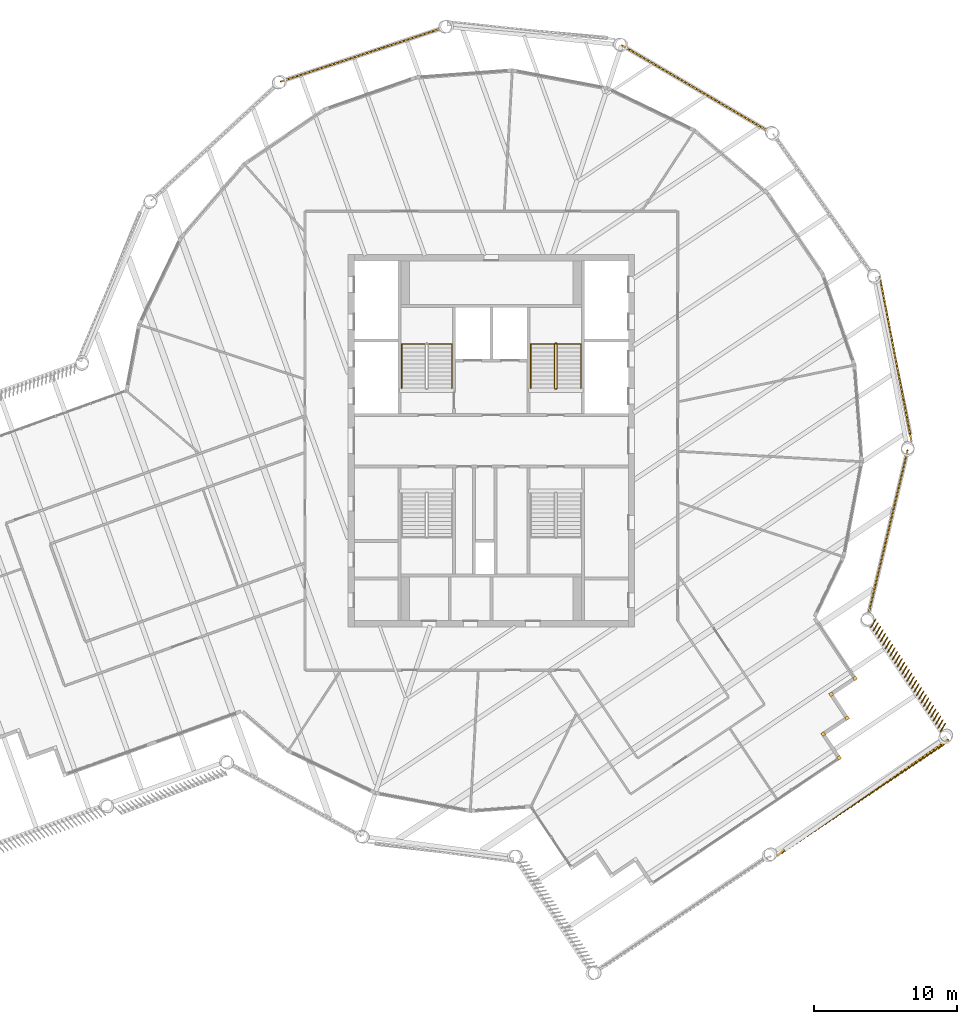
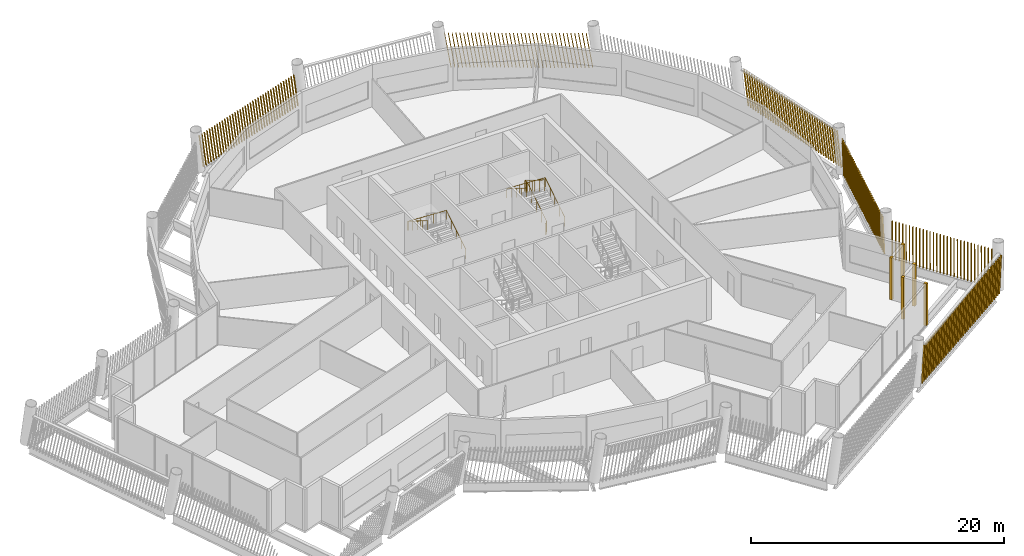
# One storey, part 26 of 28: 11 shading devices, 3 railings.
"""IFC4 building model written with IfcOpenShell, lengths in metres."""

from ifc_helpers import new_model, si_unit, direction, frame, frame_2d, origin, origin_2d, place, context, subcontext, project, spatial, rectangle, circle, composite_profile, extrude, material, type_object, element, save


model = new_model("IFC4")

# Units and contexts
model_context = context("Model", 3, precision=1e-05, world=origin(), true_north=direction((0.0, 1.0)))
body_context = subcontext(model_context, "Body", "Model", "MODEL_VIEW")
ifc_project = project(units=[si_unit("LENGTHUNIT", "METRE"), si_unit("AREAUNIT", "SQUARE_METRE"), si_unit("VOLUMEUNIT", "CUBIC_METRE"), si_unit("PLANEANGLEUNIT", "RADIAN"), si_unit("MASSUNIT", "GRAM", prefix="KILO")], contexts=[model_context])

# Site, building, storey
site_placement = place(None, origin())
site = spatial("IfcSite", under=ifc_project, at=site_placement, CompositionType="ELEMENT")
building_placement = place(site_placement, origin())
building = spatial("IfcBuilding", under=site, at=building_placement, Name="Tarsis Ring Headquarters", CompositionType="ELEMENT")
storey_placement = place(building_placement, frame((0.0, 0.0, 365.0)))
storey = spatial("IfcBuildingStorey", under=building, at=storey_placement, Name="L86", CompositionType="ELEMENT", Elevation=365.0)

# Railings
ifc_material_1 = material(Name="Steel S355", Category="steel")
railing_type_1 = type_object("IfcRailingType", Name="Core stair guard 1100", PredefinedType="GUARDRAIL", material=ifc_material_1)
railing_1_placement = place(storey_placement, frame((4.4599609375, 3.610107421875, 0.0)))
element("IfcRailing", 1, at=railing_1_placement, inside=storey, type_object=railing_type_1, Name="L86 ST2 stair guard 1", PredefinedType="GUARDRAIL", context=body_context, shape_type="SweptSolid", body=[
    extrude(circle(Radius=0.02392578125, at=origin_2d()), frame((0.0, 0.0, 1.076171875), z_axis=(1.0, 0.0, 0.0), x_axis=(0.0, 1.0, 0.0)), (0.0, 0.0, 1.0), 0.080078125),
    extrude(circle(Radius=0.02392578125, at=origin_2d()), frame((0.080078125, 0.0, 1.076171875), z_axis=(0.265155923931, 0.263862480399, 0.927399011991), x_axis=(-0.705375805398, 0.708833529934, 0.0)), (0.0, 0.0, 1.0), 0.188720703125),
    extrude(circle(Radius=0.02392578125, at=origin_2d()), frame((0.130126953125, 0.0498046875, 1.2509765625), z_axis=(0.0, 0.847998304005, 0.529998940003), x_axis=(-1.0, 0.0, 0.0)), (0.0, 0.0, 1.0), 3.632080078125),
    extrude(circle(Radius=0.02392578125, at=origin_2d()), frame((0.130126953125, 3.1298828125, 3.17626953125), z_axis=(-0.707106781187, 0.707106781187, 0.0), x_axis=(-0.707106781187, -0.707106781187, 0.0)), (0.0, 0.0, 1.0), 0.07080078125),
    extrude(circle(Radius=0.02392578125, at=origin_2d()), frame((0.080078125, 3.179931640625, 3.17626953125), z_axis=(-1.0, 0.0, 0.0), x_axis=(0.0, -1.0, 0.0)), (0.0, 0.0, 1.0), 0.080078125),
    extrude(circle(Radius=0.02392578125, at=origin_2d()), frame((0.0, 3.179931640625, 3.17626953125), z_axis=(-0.265383341853, -0.265383341853, 0.926899867156), x_axis=(0.707106781187, -0.707106781187, 0.0)), (0.0, 0.0, 1.0), 0.1884765625),
    extrude(circle(Radius=0.02392578125, at=origin_2d()), frame((-0.050048828125, 3.1298828125, 3.35107421875), z_axis=(0.0, -0.847998304005, 0.529998940003), x_axis=(1.0, 0.0, 0.0)), (0.0, 0.0, 1.0), 3.632080078125),
    extrude(circle(Radius=0.02099609375, at=origin_2d()), origin(), (0.0, 0.0, 1.0), 1.052001953125),
    extrude(circle(Radius=0.02099609375, at=origin_2d()), frame((0.080078125, 0.0, 0.0)), (0.0, 0.0, 1.0), 1.052001953125),
    extrude(circle(Radius=0.02099609375, at=origin_2d()), frame((0.130126953125, 0.0498046875, 0.175048828125)), (0.0, 0.0, 1.0), 1.052001953125),
    extrude(circle(Radius=0.02099609375, at=origin_2d()), frame((0.130126953125, 0.81982421875, 0.65625)), (0.0, 0.0, 1.0), 1.052001953125),
    extrude(circle(Radius=0.02099609375, at=origin_2d()), frame((0.130126953125, 1.58984375, 1.1376953125)), (0.0, 0.0, 1.0), 1.052001953125),
    extrude(circle(Radius=0.02099609375, at=origin_2d()), frame((0.130126953125, 2.35986328125, 1.618896484375)), (0.0, 0.0, 1.0), 1.052001953125),
    extrude(circle(Radius=0.02099609375, at=origin_2d()), frame((0.130126953125, 3.1298828125, 2.10009765625)), (0.0, 0.0, 1.0), 1.052001953125),
    extrude(circle(Radius=0.02099609375, at=origin_2d()), frame((0.080078125, 3.179931640625, 2.10009765625)), (0.0, 0.0, 1.0), 1.052001953125),
    extrude(circle(Radius=0.02099609375, at=origin_2d()), frame((0.0, 3.179931640625, 2.10009765625)), (0.0, 0.0, 1.0), 1.052001953125),
    extrude(circle(Radius=0.02099609375, at=origin_2d()), frame((-0.050048828125, 3.1298828125, 2.27490234375)), (0.0, 0.0, 1.0), 1.052001953125),
    extrude(circle(Radius=0.02099609375, at=origin_2d()), frame((-0.050048828125, 2.35986328125, 2.756103515625)), (0.0, 0.0, 1.0), 1.052001953125),
    extrude(circle(Radius=0.02099609375, at=origin_2d()), frame((-0.050048828125, 1.58984375, 3.2373046875)), (0.0, 0.0, 1.0), 1.052001953125),
    extrude(circle(Radius=0.02099609375, at=origin_2d()), frame((-0.050048828125, 0.81982421875, 3.71875)), (0.0, 0.0, 1.0), 1.052001953125),
    extrude(circle(Radius=0.02099609375, at=origin_2d()), frame((-0.050048828125, 0.0498046875, 4.199951171875)), (0.0, 0.0, 1.0), 1.052001953125),
])
railing_type_2 = type_object("IfcRailingType", Name="Core stair handrail 900", PredefinedType="HANDRAIL", material=ifc_material_1)
railing_2_placement = place(storey_placement, frame((-2.75, 3.659912109375, 0.175048828125)))
element("IfcRailing", 2, at=railing_2_placement, inside=storey, type_object=railing_type_2, Name="L86 ST1 stair handrail 1", PredefinedType="HANDRAIL", context=body_context, shape_type="SweptSolid", body=[
    extrude(circle(Radius=0.02392578125, at=origin_2d()), frame((0.0, 0.0, 0.8759765625), z_axis=(0.0, 0.847998304005, 0.529998940003), x_axis=(-1.0, 0.0, 0.0)), (0.0, 0.0, 1.0), 3.632080078125),
    extrude(circle(Radius=0.02392578125, at=origin_2d()), frame((0.0, 3.080078125, 2.80078125), z_axis=(-0.998755117086, 0.0, 0.049882021752), x_axis=(0.0, -1.0, 0.0)), (0.0, 0.0, 1.0), 3.50439453125),
    extrude(circle(Radius=0.02392578125, at=origin_2d()), frame((-3.5, 3.080078125, 2.9755859375), z_axis=(0.0, -0.847998304005, 0.529998940003), x_axis=(1.0, 0.0, 0.0)), (0.0, 0.0, 1.0), 3.632080078125),
    extrude(circle(Radius=0.02099609375, at=origin_2d()), origin(), (0.0, 0.0, 1.0), 0.851806640625),
    extrude(circle(Radius=0.02099609375, at=origin_2d()), frame((0.0, 0.77001953125, 0.481201171875)), (0.0, 0.0, 1.0), 0.851806640625),
    extrude(circle(Radius=0.02099609375, at=origin_2d()), frame((0.0, 1.5400390625, 0.96240234375)), (0.0, 0.0, 1.0), 0.851806640625),
    extrude(circle(Radius=0.02099609375, at=origin_2d()), frame((0.0, 2.31005859375, 1.44384765625)), (0.0, 0.0, 1.0), 0.851806640625),
    extrude(circle(Radius=0.02099609375, at=origin_2d()), frame((0.0, 3.080078125, 1.925048828125)), (0.0, 0.0, 1.0), 0.851806640625),
    extrude(circle(Radius=0.02099609375, at=origin_2d()), frame((-1.166748046875, 3.080078125, 1.9833984375)), (0.0, 0.0, 1.0), 0.851806640625),
    extrude(circle(Radius=0.02099609375, at=origin_2d()), frame((-2.333251953125, 3.080078125, 2.04150390625)), (0.0, 0.0, 1.0), 0.851806640625),
    extrude(circle(Radius=0.02099609375, at=origin_2d()), frame((-3.5, 3.080078125, 2.099853515625)), (0.0, 0.0, 1.0), 0.851806640625),
    extrude(circle(Radius=0.02099609375, at=origin_2d()), frame((-3.5, 2.31005859375, 2.5810546875)), (0.0, 0.0, 1.0), 0.851806640625),
    extrude(circle(Radius=0.02099609375, at=origin_2d()), frame((-3.5, 1.5400390625, 3.0625)), (0.0, 0.0, 1.0), 0.851806640625),
    extrude(circle(Radius=0.02099609375, at=origin_2d()), frame((-3.5, 0.77001953125, 3.543701171875)), (0.0, 0.0, 1.0), 0.851806640625),
    extrude(circle(Radius=0.02099609375, at=origin_2d()), frame((-3.5, 0.0, 4.02490234375)), (0.0, 0.0, 1.0), 0.851806640625),
])
railing_3_placement = place(storey_placement, frame((6.25, 3.659912109375, 0.175048828125)))
element("IfcRailing", 3, at=railing_3_placement, inside=storey, type_object=railing_type_2, Name="L86 ST2 stair handrail 1", PredefinedType="HANDRAIL", context=body_context, shape_type="SweptSolid", body=[
    extrude(circle(Radius=0.02392578125, at=origin_2d()), frame((0.0, 0.0, 0.8759765625), z_axis=(0.0, 0.847998304005, 0.529998940003), x_axis=(-1.0, 0.0, 0.0)), (0.0, 0.0, 1.0), 3.632080078125),
    extrude(circle(Radius=0.02392578125, at=origin_2d()), frame((0.0, 3.080078125, 2.80078125), z_axis=(-0.998755117086, 0.0, 0.049882021752), x_axis=(0.0, -1.0, 0.0)), (0.0, 0.0, 1.0), 3.50439453125),
    extrude(circle(Radius=0.02392578125, at=origin_2d()), frame((-3.5, 3.080078125, 2.9755859375), z_axis=(0.0, -0.847998304005, 0.529998940003), x_axis=(1.0, 0.0, 0.0)), (0.0, 0.0, 1.0), 3.632080078125),
    extrude(circle(Radius=0.02099609375, at=origin_2d()), origin(), (0.0, 0.0, 1.0), 0.851806640625),
    extrude(circle(Radius=0.02099609375, at=origin_2d()), frame((0.0, 0.77001953125, 0.481201171875)), (0.0, 0.0, 1.0), 0.851806640625),
    extrude(circle(Radius=0.02099609375, at=origin_2d()), frame((0.0, 1.5400390625, 0.96240234375)), (0.0, 0.0, 1.0), 0.851806640625),
    extrude(circle(Radius=0.02099609375, at=origin_2d()), frame((0.0, 2.31005859375, 1.44384765625)), (0.0, 0.0, 1.0), 0.851806640625),
    extrude(circle(Radius=0.02099609375, at=origin_2d()), frame((0.0, 3.080078125, 1.925048828125)), (0.0, 0.0, 1.0), 0.851806640625),
    extrude(circle(Radius=0.02099609375, at=origin_2d()), frame((-1.166748046875, 3.080078125, 1.9833984375)), (0.0, 0.0, 1.0), 0.851806640625),
    extrude(circle(Radius=0.02099609375, at=origin_2d()), frame((-2.333251953125, 3.080078125, 2.04150390625)), (0.0, 0.0, 1.0), 0.851806640625),
    extrude(circle(Radius=0.02099609375, at=origin_2d()), frame((-3.5, 3.080078125, 2.099853515625)), (0.0, 0.0, 1.0), 0.851806640625),
    extrude(circle(Radius=0.02099609375, at=origin_2d()), frame((-3.5, 2.31005859375, 2.5810546875)), (0.0, 0.0, 1.0), 0.851806640625),
    extrude(circle(Radius=0.02099609375, at=origin_2d()), frame((-3.5, 1.5400390625, 3.0625)), (0.0, 0.0, 1.0), 0.851806640625),
    extrude(circle(Radius=0.02099609375, at=origin_2d()), frame((-3.5, 0.77001953125, 3.543701171875)), (0.0, 0.0, 1.0), 0.851806640625),
    extrude(circle(Radius=0.02099609375, at=origin_2d()), frame((-3.5, 0.0, 4.02490234375)), (0.0, 0.0, 1.0), 0.851806640625),
])

# Shading devices
ifc_material_2 = material(Name="Terracotta baguette", Category="masonry")
shading_device_type_1 = type_object("IfcShadingDeviceType", Name="Terracotta baguette screen", PredefinedType="USERDEFINED", material=ifc_material_2)
shading_device_1_placement = place(storey_placement, frame((19.962890625, -28.965576171875, 0.0), z_axis=(0.0, 0.0, 1.0), x_axis=(0.831384343211, 0.555701017249, 0.0)))
element("IfcShadingDevice", 4, at=shading_device_1_placement, inside=storey, type_object=shading_device_type_1, Name="Baguette screen L86-03", ObjectType="Terracotta baguette screen", PredefinedType="USERDEFINED", context=body_context, shape_type="SweptSolid", body=[
    extrude(composite_profile([rectangle(XDim=0.06005859375, YDim=0.1201171875, at=frame_2d((0.030029296875, 0.0))), rectangle(XDim=0.06005859375, YDim=0.1201171875, at=frame_2d((0.33544921875, 0.0))), rectangle(XDim=0.06005859375, YDim=0.1201171875, at=frame_2d((0.640625, 0.0))), rectangle(XDim=0.06005859375, YDim=0.1201171875, at=frame_2d((0.946044921875, 0.0))), rectangle(XDim=0.06005859375, YDim=0.1201171875, at=frame_2d((1.25146484375, 0.0))), rectangle(XDim=0.06005859375, YDim=0.1201171875, at=frame_2d((1.556640625, 0.0))), rectangle(XDim=0.06005859375, YDim=0.1201171875, at=frame_2d((1.862060546875, 0.0))), rectangle(XDim=0.06005859375, YDim=0.1201171875, at=frame_2d((2.16748046875, 0.0))), rectangle(XDim=0.06005859375, YDim=0.1201171875, at=frame_2d((2.47265625, 0.0))), rectangle(XDim=0.06005859375, YDim=0.1201171875, at=frame_2d((2.778076171875, 0.0))), rectangle(XDim=0.06005859375, YDim=0.1201171875, at=frame_2d((3.08349609375, 0.0))), rectangle(XDim=0.06005859375, YDim=0.1201171875, at=frame_2d((3.388671875, 0.0))), rectangle(XDim=0.06005859375, YDim=0.1201171875, at=frame_2d((3.694091796875, 0.0))), rectangle(XDim=0.06005859375, YDim=0.1201171875, at=frame_2d((3.99951171875, 0.0))), rectangle(XDim=0.06005859375, YDim=0.1201171875, at=frame_2d((4.3046875, 0.0))), rectangle(XDim=0.06005859375, YDim=0.1201171875, at=frame_2d((4.610107421875, 0.0))), rectangle(XDim=0.06005859375, YDim=0.1201171875, at=frame_2d((4.91552734375, 0.0))), rectangle(XDim=0.06005859375, YDim=0.1201171875, at=frame_2d((5.220703125, 0.0))), rectangle(XDim=0.06005859375, YDim=0.1201171875, at=frame_2d((5.526123046875, 0.0))), rectangle(XDim=0.06005859375, YDim=0.1201171875, at=frame_2d((5.83154296875, 0.0))), rectangle(XDim=0.06005859375, YDim=0.1201171875, at=frame_2d((6.13671875, 0.0))), rectangle(XDim=0.06005859375, YDim=0.1201171875, at=frame_2d((6.442138671875, 0.0))), rectangle(XDim=0.06005859375, YDim=0.1201171875, at=frame_2d((6.74755859375, 0.0))), rectangle(XDim=0.06005859375, YDim=0.1201171875, at=frame_2d((7.052734375, 0.0))), rectangle(XDim=0.06005859375, YDim=0.1201171875, at=frame_2d((7.358154296875, 0.0))), rectangle(XDim=0.06005859375, YDim=0.1201171875, at=frame_2d((7.66357421875, 0.0))), rectangle(XDim=0.06005859375, YDim=0.1201171875, at=frame_2d((7.96875, 0.0))), rectangle(XDim=0.06005859375, YDim=0.1201171875, at=frame_2d((8.274169921875, 0.0))), rectangle(XDim=0.06005859375, YDim=0.1201171875, at=frame_2d((8.57958984375, 0.0))), rectangle(XDim=0.06005859375, YDim=0.1201171875, at=frame_2d((8.884765625, 0.0))), rectangle(XDim=0.06005859375, YDim=0.1201171875, at=frame_2d((9.190185546875, 0.0))), rectangle(XDim=0.06005859375, YDim=0.1201171875, at=frame_2d((9.49560546875, 0.0))), rectangle(XDim=0.06005859375, YDim=0.1201171875, at=frame_2d((9.80078125, 0.0))), rectangle(XDim=0.06005859375, YDim=0.1201171875, at=frame_2d((10.106201171875, 0.0))), rectangle(XDim=0.06005859375, YDim=0.1201171875, at=frame_2d((10.41162109375, 0.0))), rectangle(XDim=0.06005859375, YDim=0.1201171875, at=frame_2d((10.716796875, 0.0))), rectangle(XDim=0.06005859375, YDim=0.1201171875, at=frame_2d((11.022216796875, 0.0))), rectangle(XDim=0.06005859375, YDim=0.1201171875, at=frame_2d((11.32763671875, 0.0))), rectangle(XDim=0.06005859375, YDim=0.1201171875, at=frame_2d((11.6328125, 0.0))), rectangle(XDim=0.06005859375, YDim=0.1201171875, at=frame_2d((11.938232421875, 0.0))), rectangle(XDim=0.06005859375, YDim=0.1201171875, at=frame_2d((12.24365234375, 0.0))), rectangle(XDim=0.06005859375, YDim=0.1201171875, at=frame_2d((12.548828125, 0.0))), rectangle(XDim=0.06005859375, YDim=0.1201171875, at=frame_2d((12.854248046875, 0.0))), rectangle(XDim=0.06005859375, YDim=0.1201171875, at=frame_2d((13.15966796875, 0.0))), rectangle(XDim=0.06005859375, YDim=0.1201171875, at=frame_2d((13.46484375, 0.0))), rectangle(XDim=0.06005859375, YDim=0.1201171875, at=frame_2d((13.770263671875, 0.0)))]), origin(), (0.190512633227, 0.041892237352, 0.980790485797), 3.3447265625),
])
shading_device_2_placement = place(storey_placement, frame((31.365234375, -20.29150390625, 0.0), z_axis=(0.0, 0.0, 1.0), x_axis=(-0.555694201813, 0.831378421096, 0.0)))
element("IfcShadingDevice", 5, at=shading_device_2_placement, inside=storey, type_object=shading_device_type_1, Name="Baguette screen L86-04", ObjectType="Terracotta baguette screen", PredefinedType="USERDEFINED", context=body_context, shape_type="SweptSolid", body=[
    extrude(composite_profile([rectangle(XDim=0.06005859375, YDim=0.1201171875, at=frame_2d((0.030029296875, 0.0))), rectangle(XDim=0.06005859375, YDim=0.1201171875, at=frame_2d((0.33154296875, 0.0))), rectangle(XDim=0.06005859375, YDim=0.1201171875, at=frame_2d((0.633056640625, 0.0))), rectangle(XDim=0.06005859375, YDim=0.1201171875, at=frame_2d((0.9345703125, 0.0))), rectangle(XDim=0.06005859375, YDim=0.1201171875, at=frame_2d((1.236083984375, 0.0))), rectangle(XDim=0.06005859375, YDim=0.1201171875, at=frame_2d((1.53759765625, 0.0))), rectangle(XDim=0.06005859375, YDim=0.1201171875, at=frame_2d((1.839111328125, 0.0))), rectangle(XDim=0.06005859375, YDim=0.1201171875, at=frame_2d((2.140625, 0.0))), rectangle(XDim=0.06005859375, YDim=0.1201171875, at=frame_2d((2.442138671875, 0.0))), rectangle(XDim=0.06005859375, YDim=0.1201171875, at=frame_2d((2.74365234375, 0.0))), rectangle(XDim=0.06005859375, YDim=0.1201171875, at=frame_2d((3.045166015625, 0.0))), rectangle(XDim=0.06005859375, YDim=0.1201171875, at=frame_2d((3.3466796875, 0.0))), rectangle(XDim=0.06005859375, YDim=0.1201171875, at=frame_2d((3.648193359375, 0.0))), rectangle(XDim=0.06005859375, YDim=0.1201171875, at=frame_2d((3.94970703125, 0.0))), rectangle(XDim=0.06005859375, YDim=0.1201171875, at=frame_2d((4.251220703125, 0.0))), rectangle(XDim=0.06005859375, YDim=0.1201171875, at=frame_2d((4.552978515625, 0.0))), rectangle(XDim=0.06005859375, YDim=0.1201171875, at=frame_2d((4.8544921875, 0.0))), rectangle(XDim=0.06005859375, YDim=0.1201171875, at=frame_2d((5.156005859375, 0.0))), rectangle(XDim=0.06005859375, YDim=0.1201171875, at=frame_2d((5.45751953125, 0.0))), rectangle(XDim=0.06005859375, YDim=0.1201171875, at=frame_2d((5.759033203125, 0.0))), rectangle(XDim=0.06005859375, YDim=0.1201171875, at=frame_2d((6.060546875, 0.0))), rectangle(XDim=0.06005859375, YDim=0.1201171875, at=frame_2d((6.362060546875, 0.0))), rectangle(XDim=0.06005859375, YDim=0.1201171875, at=frame_2d((6.66357421875, 0.0))), rectangle(XDim=0.06005859375, YDim=0.1201171875, at=frame_2d((6.965087890625, 0.0))), rectangle(XDim=0.06005859375, YDim=0.1201171875, at=frame_2d((7.2666015625, 0.0))), rectangle(XDim=0.06005859375, YDim=0.1201171875, at=frame_2d((7.568115234375, 0.0))), rectangle(XDim=0.06005859375, YDim=0.1201171875, at=frame_2d((7.86962890625, 0.0))), rectangle(XDim=0.06005859375, YDim=0.1201171875, at=frame_2d((8.171142578125, 0.0))), rectangle(XDim=0.06005859375, YDim=0.1201171875, at=frame_2d((8.47265625, 0.0))), rectangle(XDim=0.06005859375, YDim=0.1201171875, at=frame_2d((8.774169921875, 0.0)))]), origin(), (0.082004130582, -0.161936594151, 0.983387950934), 3.3359375),
])
shading_device_3_placement = place(storey_placement, frame((26.31103515625, -12.069580078125, 0.0), z_axis=(0.0, 0.0, 1.0), x_axis=(0.232403689636, 0.972609875203, 0.0)))
element("IfcShadingDevice", 6, at=shading_device_3_placement, inside=storey, type_object=shading_device_type_1, Name="Baguette screen L86-05", ObjectType="Terracotta baguette screen", PredefinedType="USERDEFINED", context=body_context, shape_type="SweptSolid", body=[
    extrude(composite_profile([rectangle(XDim=0.06005859375, YDim=0.1201171875, at=frame_2d((0.030029296875, 0.0))), rectangle(XDim=0.06005859375, YDim=0.1201171875, at=frame_2d((0.33251953125, 0.0))), rectangle(XDim=0.06005859375, YDim=0.1201171875, at=frame_2d((0.634765625, 0.0))), rectangle(XDim=0.06005859375, YDim=0.1201171875, at=frame_2d((0.937255859375, 0.0))), rectangle(XDim=0.06005859375, YDim=0.1201171875, at=frame_2d((1.239501953125, 0.0))), rectangle(XDim=0.06005859375, YDim=0.1201171875, at=frame_2d((1.5419921875, 0.0))), rectangle(XDim=0.06005859375, YDim=0.1201171875, at=frame_2d((1.844482421875, 0.0))), rectangle(XDim=0.06005859375, YDim=0.1201171875, at=frame_2d((2.146728515625, 0.0))), rectangle(XDim=0.06005859375, YDim=0.1201171875, at=frame_2d((2.44921875, 0.0))), rectangle(XDim=0.06005859375, YDim=0.1201171875, at=frame_2d((2.751708984375, 0.0))), rectangle(XDim=0.06005859375, YDim=0.1201171875, at=frame_2d((3.053955078125, 0.0))), rectangle(XDim=0.06005859375, YDim=0.1201171875, at=frame_2d((3.3564453125, 0.0))), rectangle(XDim=0.06005859375, YDim=0.1201171875, at=frame_2d((3.65869140625, 0.0))), rectangle(XDim=0.06005859375, YDim=0.1201171875, at=frame_2d((3.961181640625, 0.0))), rectangle(XDim=0.06005859375, YDim=0.1201171875, at=frame_2d((4.263671875, 0.0))), rectangle(XDim=0.06005859375, YDim=0.1201171875, at=frame_2d((4.56591796875, 0.0))), rectangle(XDim=0.06005859375, YDim=0.1201171875, at=frame_2d((4.868408203125, 0.0))), rectangle(XDim=0.06005859375, YDim=0.1201171875, at=frame_2d((5.1708984375, 0.0))), rectangle(XDim=0.06005859375, YDim=0.1201171875, at=frame_2d((5.47314453125, 0.0))), rectangle(XDim=0.06005859375, YDim=0.1201171875, at=frame_2d((5.775634765625, 0.0))), rectangle(XDim=0.06005859375, YDim=0.1201171875, at=frame_2d((6.077880859375, 0.0))), rectangle(XDim=0.06005859375, YDim=0.1201171875, at=frame_2d((6.38037109375, 0.0))), rectangle(XDim=0.06005859375, YDim=0.1201171875, at=frame_2d((6.682861328125, 0.0))), rectangle(XDim=0.06005859375, YDim=0.1201171875, at=frame_2d((6.985107421875, 0.0))), rectangle(XDim=0.06005859375, YDim=0.1201171875, at=frame_2d((7.28759765625, 0.0))), rectangle(XDim=0.06005859375, YDim=0.1201171875, at=frame_2d((7.590087890625, 0.0))), rectangle(XDim=0.06005859375, YDim=0.1201171875, at=frame_2d((7.892333984375, 0.0))), rectangle(XDim=0.06005859375, YDim=0.1201171875, at=frame_2d((8.19482421875, 0.0))), rectangle(XDim=0.06005859375, YDim=0.1201171875, at=frame_2d((8.4970703125, 0.0))), rectangle(XDim=0.06005859375, YDim=0.1201171875, at=frame_2d((8.799560546875, 0.0))), rectangle(XDim=0.06005859375, YDim=0.1201171875, at=frame_2d((9.10205078125, 0.0))), rectangle(XDim=0.06005859375, YDim=0.1201171875, at=frame_2d((9.404296875, 0.0))), rectangle(XDim=0.06005859375, YDim=0.1201171875, at=frame_2d((9.706787109375, 0.0))), rectangle(XDim=0.06005859375, YDim=0.1201171875, at=frame_2d((10.00927734375, 0.0))), rectangle(XDim=0.06005859375, YDim=0.1201171875, at=frame_2d((10.3115234375, 0.0))), rectangle(XDim=0.06005859375, YDim=0.1201171875, at=frame_2d((10.614013671875, 0.0))), rectangle(XDim=0.06005859375, YDim=0.1201171875, at=frame_2d((10.916259765625, 0.0))), rectangle(XDim=0.06005859375, YDim=0.1201171875, at=frame_2d((11.21875, 0.0)))]), origin(), (0.155201269607, 0.001408676768, 0.987881866188), 3.32080078125),
])
shading_device_4_placement = place(storey_placement, frame((29.31494140625, -0.08056640625, 0.0), z_axis=(0.0, 0.0, 1.0), x_axis=(-0.189148128052, 0.981942485079, 0.0)))
element("IfcShadingDevice", 7, at=shading_device_4_placement, inside=storey, type_object=shading_device_type_1, Name="Baguette screen L86-06", ObjectType="Terracotta baguette screen", PredefinedType="USERDEFINED", context=body_context, shape_type="SweptSolid", body=[
    extrude(composite_profile([rectangle(XDim=0.06005859375, YDim=0.1201171875, at=frame_2d((0.030029296875, 0.0))), rectangle(XDim=0.06005859375, YDim=0.1201171875, at=frame_2d((0.33251953125, 0.0))), rectangle(XDim=0.06005859375, YDim=0.1201171875, at=frame_2d((0.634765625, 0.0))), rectangle(XDim=0.06005859375, YDim=0.1201171875, at=frame_2d((0.937255859375, 0.0))), rectangle(XDim=0.06005859375, YDim=0.1201171875, at=frame_2d((1.239501953125, 0.0))), rectangle(XDim=0.06005859375, YDim=0.1201171875, at=frame_2d((1.5419921875, 0.0))), rectangle(XDim=0.06005859375, YDim=0.1201171875, at=frame_2d((1.844482421875, 0.0))), rectangle(XDim=0.06005859375, YDim=0.1201171875, at=frame_2d((2.146728515625, 0.0))), rectangle(XDim=0.06005859375, YDim=0.1201171875, at=frame_2d((2.44921875, 0.0))), rectangle(XDim=0.06005859375, YDim=0.1201171875, at=frame_2d((2.751708984375, 0.0))), rectangle(XDim=0.06005859375, YDim=0.1201171875, at=frame_2d((3.053955078125, 0.0))), rectangle(XDim=0.06005859375, YDim=0.1201171875, at=frame_2d((3.3564453125, 0.0))), rectangle(XDim=0.06005859375, YDim=0.1201171875, at=frame_2d((3.65869140625, 0.0))), rectangle(XDim=0.06005859375, YDim=0.1201171875, at=frame_2d((3.961181640625, 0.0))), rectangle(XDim=0.06005859375, YDim=0.1201171875, at=frame_2d((4.263671875, 0.0))), rectangle(XDim=0.06005859375, YDim=0.1201171875, at=frame_2d((4.56591796875, 0.0))), rectangle(XDim=0.06005859375, YDim=0.1201171875, at=frame_2d((4.868408203125, 0.0))), rectangle(XDim=0.06005859375, YDim=0.1201171875, at=frame_2d((5.1708984375, 0.0))), rectangle(XDim=0.06005859375, YDim=0.1201171875, at=frame_2d((5.47314453125, 0.0))), rectangle(XDim=0.06005859375, YDim=0.1201171875, at=frame_2d((5.775634765625, 0.0))), rectangle(XDim=0.06005859375, YDim=0.1201171875, at=frame_2d((6.077880859375, 0.0))), rectangle(XDim=0.06005859375, YDim=0.1201171875, at=frame_2d((6.38037109375, 0.0))), rectangle(XDim=0.06005859375, YDim=0.1201171875, at=frame_2d((6.682861328125, 0.0))), rectangle(XDim=0.06005859375, YDim=0.1201171875, at=frame_2d((6.985107421875, 0.0))), rectangle(XDim=0.06005859375, YDim=0.1201171875, at=frame_2d((7.28759765625, 0.0))), rectangle(XDim=0.06005859375, YDim=0.1201171875, at=frame_2d((7.590087890625, 0.0))), rectangle(XDim=0.06005859375, YDim=0.1201171875, at=frame_2d((7.892333984375, 0.0))), rectangle(XDim=0.06005859375, YDim=0.1201171875, at=frame_2d((8.19482421875, 0.0))), rectangle(XDim=0.06005859375, YDim=0.1201171875, at=frame_2d((8.4970703125, 0.0))), rectangle(XDim=0.06005859375, YDim=0.1201171875, at=frame_2d((8.799560546875, 0.0))), rectangle(XDim=0.06005859375, YDim=0.1201171875, at=frame_2d((9.10205078125, 0.0))), rectangle(XDim=0.06005859375, YDim=0.1201171875, at=frame_2d((9.404296875, 0.0))), rectangle(XDim=0.06005859375, YDim=0.1201171875, at=frame_2d((9.706787109375, 0.0))), rectangle(XDim=0.06005859375, YDim=0.1201171875, at=frame_2d((10.00927734375, 0.0))), rectangle(XDim=0.06005859375, YDim=0.1201171875, at=frame_2d((10.3115234375, 0.0))), rectangle(XDim=0.06005859375, YDim=0.1201171875, at=frame_2d((10.614013671875, 0.0))), rectangle(XDim=0.06005859375, YDim=0.1201171875, at=frame_2d((10.916259765625, 0.0))), rectangle(XDim=0.06005859375, YDim=0.1201171875, at=frame_2d((11.21875, 0.0)))]), origin(), (0.157201344369, 0.001428507378, 0.987565540455), 3.32177734375),
])
shading_device_5_placement = place(storey_placement, frame((19.224609375, 21.6416015625, 0.0), z_axis=(0.0, 0.0, 1.0), x_axis=(-0.862401250109, 0.506207136036, 0.0)))
element("IfcShadingDevice", 8, at=shading_device_5_placement, inside=storey, type_object=shading_device_type_1, Name="Baguette screen L86-08", ObjectType="Terracotta baguette screen", PredefinedType="USERDEFINED", context=body_context, shape_type="SweptSolid", body=[
    extrude(composite_profile([rectangle(XDim=0.06005859375, YDim=0.1201171875, at=frame_2d((0.030029296875, 0.0))), rectangle(XDim=0.06005859375, YDim=0.1201171875, at=frame_2d((0.33251953125, 0.0))), rectangle(XDim=0.06005859375, YDim=0.1201171875, at=frame_2d((0.634765625, 0.0))), rectangle(XDim=0.06005859375, YDim=0.1201171875, at=frame_2d((0.937255859375, 0.0))), rectangle(XDim=0.06005859375, YDim=0.1201171875, at=frame_2d((1.239501953125, 0.0))), rectangle(XDim=0.06005859375, YDim=0.1201171875, at=frame_2d((1.5419921875, 0.0))), rectangle(XDim=0.06005859375, YDim=0.1201171875, at=frame_2d((1.844482421875, 0.0))), rectangle(XDim=0.06005859375, YDim=0.1201171875, at=frame_2d((2.146728515625, 0.0))), rectangle(XDim=0.06005859375, YDim=0.1201171875, at=frame_2d((2.44921875, 0.0))), rectangle(XDim=0.06005859375, YDim=0.1201171875, at=frame_2d((2.751708984375, 0.0))), rectangle(XDim=0.06005859375, YDim=0.1201171875, at=frame_2d((3.053955078125, 0.0))), rectangle(XDim=0.06005859375, YDim=0.1201171875, at=frame_2d((3.3564453125, 0.0))), rectangle(XDim=0.06005859375, YDim=0.1201171875, at=frame_2d((3.65869140625, 0.0))), rectangle(XDim=0.06005859375, YDim=0.1201171875, at=frame_2d((3.961181640625, 0.0))), rectangle(XDim=0.06005859375, YDim=0.1201171875, at=frame_2d((4.263671875, 0.0))), rectangle(XDim=0.06005859375, YDim=0.1201171875, at=frame_2d((4.56591796875, 0.0))), rectangle(XDim=0.06005859375, YDim=0.1201171875, at=frame_2d((4.868408203125, 0.0))), rectangle(XDim=0.06005859375, YDim=0.1201171875, at=frame_2d((5.1708984375, 0.0))), rectangle(XDim=0.06005859375, YDim=0.1201171875, at=frame_2d((5.47314453125, 0.0))), rectangle(XDim=0.06005859375, YDim=0.1201171875, at=frame_2d((5.775634765625, 0.0))), rectangle(XDim=0.06005859375, YDim=0.1201171875, at=frame_2d((6.077880859375, 0.0))), rectangle(XDim=0.06005859375, YDim=0.1201171875, at=frame_2d((6.38037109375, 0.0))), rectangle(XDim=0.06005859375, YDim=0.1201171875, at=frame_2d((6.682861328125, 0.0))), rectangle(XDim=0.06005859375, YDim=0.1201171875, at=frame_2d((6.985107421875, 0.0))), rectangle(XDim=0.06005859375, YDim=0.1201171875, at=frame_2d((7.28759765625, 0.0))), rectangle(XDim=0.06005859375, YDim=0.1201171875, at=frame_2d((7.590087890625, 0.0))), rectangle(XDim=0.06005859375, YDim=0.1201171875, at=frame_2d((7.892333984375, 0.0))), rectangle(XDim=0.06005859375, YDim=0.1201171875, at=frame_2d((8.19482421875, 0.0))), rectangle(XDim=0.06005859375, YDim=0.1201171875, at=frame_2d((8.4970703125, 0.0))), rectangle(XDim=0.06005859375, YDim=0.1201171875, at=frame_2d((8.799560546875, 0.0))), rectangle(XDim=0.06005859375, YDim=0.1201171875, at=frame_2d((9.10205078125, 0.0))), rectangle(XDim=0.06005859375, YDim=0.1201171875, at=frame_2d((9.404296875, 0.0))), rectangle(XDim=0.06005859375, YDim=0.1201171875, at=frame_2d((9.706787109375, 0.0))), rectangle(XDim=0.06005859375, YDim=0.1201171875, at=frame_2d((10.00927734375, 0.0))), rectangle(XDim=0.06005859375, YDim=0.1201171875, at=frame_2d((10.3115234375, 0.0))), rectangle(XDim=0.06005859375, YDim=0.1201171875, at=frame_2d((10.614013671875, 0.0))), rectangle(XDim=0.06005859375, YDim=0.1201171875, at=frame_2d((10.916259765625, 0.0))), rectangle(XDim=0.06005859375, YDim=0.1201171875, at=frame_2d((11.21875, 0.0)))]), origin(), (0.155201558839, 0.001410108241, 0.987881818705), 3.32080078125),
])
shading_device_6_placement = place(storey_placement, frame((-3.562744140625, 28.72705078125, 0.0), z_axis=(0.0, 0.0, 1.0), x_axis=(-0.949561593888, -0.313547182915, 0.0)))
element("IfcShadingDevice", 9, at=shading_device_6_placement, inside=storey, type_object=shading_device_type_1, Name="Baguette screen L86-10", ObjectType="Terracotta baguette screen", PredefinedType="USERDEFINED", context=body_context, shape_type="SweptSolid", body=[
    extrude(composite_profile([rectangle(XDim=0.06005859375, YDim=0.1201171875, at=frame_2d((0.030029296875, 0.0))), rectangle(XDim=0.06005859375, YDim=0.1201171875, at=frame_2d((0.33251953125, 0.0))), rectangle(XDim=0.06005859375, YDim=0.1201171875, at=frame_2d((0.634765625, 0.0))), rectangle(XDim=0.06005859375, YDim=0.1201171875, at=frame_2d((0.937255859375, 0.0))), rectangle(XDim=0.06005859375, YDim=0.1201171875, at=frame_2d((1.239501953125, 0.0))), rectangle(XDim=0.06005859375, YDim=0.1201171875, at=frame_2d((1.5419921875, 0.0))), rectangle(XDim=0.06005859375, YDim=0.1201171875, at=frame_2d((1.844482421875, 0.0))), rectangle(XDim=0.06005859375, YDim=0.1201171875, at=frame_2d((2.146728515625, 0.0))), rectangle(XDim=0.06005859375, YDim=0.1201171875, at=frame_2d((2.44921875, 0.0))), rectangle(XDim=0.06005859375, YDim=0.1201171875, at=frame_2d((2.751708984375, 0.0))), rectangle(XDim=0.06005859375, YDim=0.1201171875, at=frame_2d((3.053955078125, 0.0))), rectangle(XDim=0.06005859375, YDim=0.1201171875, at=frame_2d((3.3564453125, 0.0))), rectangle(XDim=0.06005859375, YDim=0.1201171875, at=frame_2d((3.65869140625, 0.0))), rectangle(XDim=0.06005859375, YDim=0.1201171875, at=frame_2d((3.961181640625, 0.0))), rectangle(XDim=0.06005859375, YDim=0.1201171875, at=frame_2d((4.263671875, 0.0))), rectangle(XDim=0.06005859375, YDim=0.1201171875, at=frame_2d((4.56591796875, 0.0))), rectangle(XDim=0.06005859375, YDim=0.1201171875, at=frame_2d((4.868408203125, 0.0))), rectangle(XDim=0.06005859375, YDim=0.1201171875, at=frame_2d((5.1708984375, 0.0))), rectangle(XDim=0.06005859375, YDim=0.1201171875, at=frame_2d((5.47314453125, 0.0))), rectangle(XDim=0.06005859375, YDim=0.1201171875, at=frame_2d((5.775634765625, 0.0))), rectangle(XDim=0.06005859375, YDim=0.1201171875, at=frame_2d((6.077880859375, 0.0))), rectangle(XDim=0.06005859375, YDim=0.1201171875, at=frame_2d((6.38037109375, 0.0))), rectangle(XDim=0.06005859375, YDim=0.1201171875, at=frame_2d((6.682861328125, 0.0))), rectangle(XDim=0.06005859375, YDim=0.1201171875, at=frame_2d((6.985107421875, 0.0))), rectangle(XDim=0.06005859375, YDim=0.1201171875, at=frame_2d((7.28759765625, 0.0))), rectangle(XDim=0.06005859375, YDim=0.1201171875, at=frame_2d((7.590087890625, 0.0))), rectangle(XDim=0.06005859375, YDim=0.1201171875, at=frame_2d((7.892333984375, 0.0))), rectangle(XDim=0.06005859375, YDim=0.1201171875, at=frame_2d((8.19482421875, 0.0))), rectangle(XDim=0.06005859375, YDim=0.1201171875, at=frame_2d((8.4970703125, 0.0))), rectangle(XDim=0.06005859375, YDim=0.1201171875, at=frame_2d((8.799560546875, 0.0))), rectangle(XDim=0.06005859375, YDim=0.1201171875, at=frame_2d((9.10205078125, 0.0))), rectangle(XDim=0.06005859375, YDim=0.1201171875, at=frame_2d((9.404296875, 0.0))), rectangle(XDim=0.06005859375, YDim=0.1201171875, at=frame_2d((9.706787109375, 0.0))), rectangle(XDim=0.06005859375, YDim=0.1201171875, at=frame_2d((10.00927734375, 0.0))), rectangle(XDim=0.06005859375, YDim=0.1201171875, at=frame_2d((10.3115234375, 0.0))), rectangle(XDim=0.06005859375, YDim=0.1201171875, at=frame_2d((10.614013671875, 0.0))), rectangle(XDim=0.06005859375, YDim=0.1201171875, at=frame_2d((10.916259765625, 0.0))), rectangle(XDim=0.06005859375, YDim=0.1201171875, at=frame_2d((11.21875, 0.0)))]), origin(), (0.155201176248, 0.001409583444, 0.987881879561), 3.32080078125),
])
shading_device_type_2 = type_object("IfcShadingDeviceType", Name="Terracotta corner baguette 250x250", PredefinedType="USERDEFINED", material=ifc_material_2)
for number, where, z_axis, x_axis, name in (
    (10, (24.260498046875, -22.123779296875, 0.0), (0.0, 0.0, 1.0), (0.831372614943, 0.555715372401, 0.0), "Corner baguette L86-12"),
    (11, (23.149169921875, -20.4609375, 0.0), (0.0, 0.0, 1.0), (-0.555715517503, 0.831372517952, 0.0), "Corner baguette L86-13"),
    (12, (24.811767578125, -19.349609375, 0.0), (0.0, 0.0, 1.0), (0.83137275073, 0.555715169258, 0.0), "Corner baguette L86-14"),
    (13, (23.700439453125, -17.686767578125, 0.0), (0.0, 0.0, 1.0), (-0.555715169258, 0.83137275073, 0.0), "Corner baguette L86-15"),
    (14, (25.363037109375, -16.575439453125, 0.0), (0.0, 0.0, 1.0), (0.831372285175, 0.555715865747, 0.0), "Corner baguette L86-16"),
):
    element("IfcShadingDevice", number, at=place(storey_placement, frame(where, z_axis=z_axis, x_axis=x_axis)), inside=storey, type_object=shading_device_type_2, Name=name, ObjectType="Terracotta corner baguette", PredefinedType="USERDEFINED", context=body_context, shape_type="SweptSolid", body=[
        extrude(rectangle(XDim=0.25, YDim=0.25, at=origin_2d()), origin(), (0.0, 0.0, 1.0), 4.0400390625),
    ])

save(model, "model.ifc")
